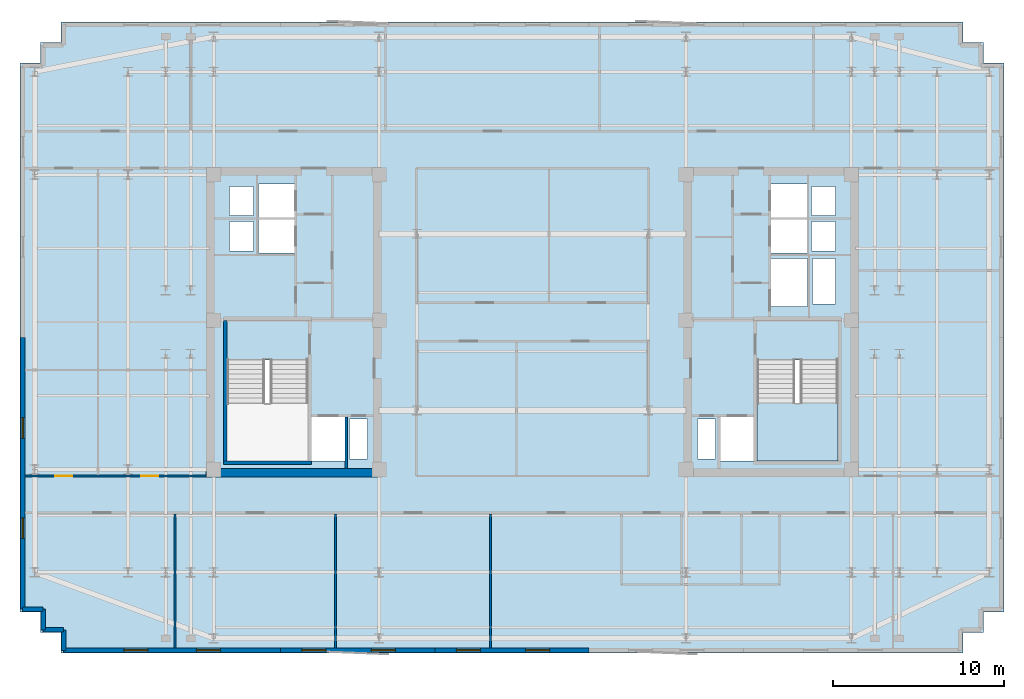
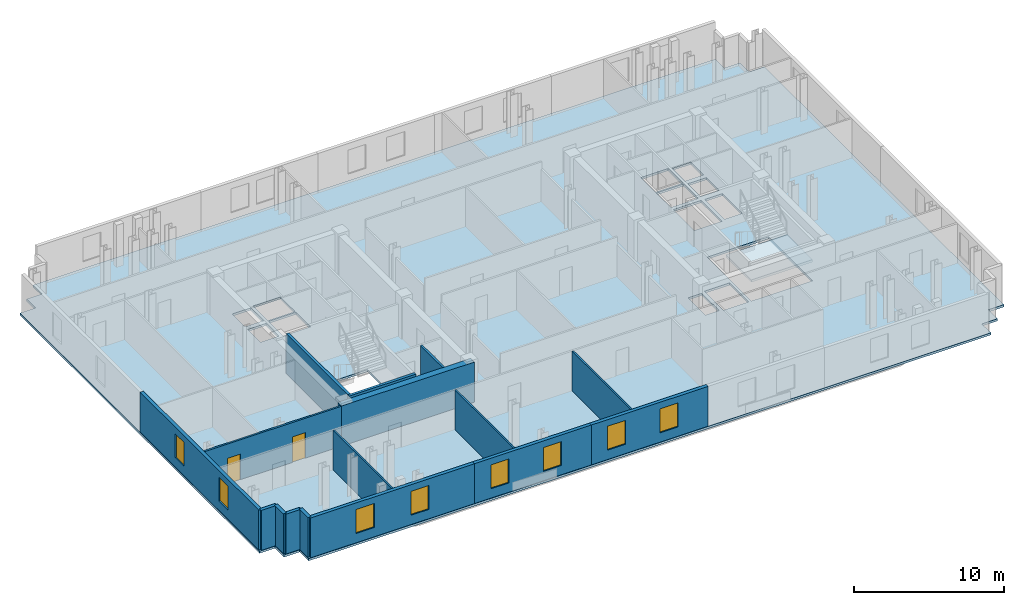
# One storey, part 3 of 9: 16 walls, 8 windows, 2 doors, 2 slabs, 10 openings, 1 element without a shape of its own.
"""IFC4 building model written with IfcOpenShell, lengths in metres."""

import ifcopenshell
import ifcopenshell.guid

model = None  # the IFC model being written
_history = None  # IfcOwnerHistory: only IFC2X3 demands one
_inside = {}  # id of a spatial element -> (the spatial element, [elements in it])
_under = {}  # id of a project, library or spatial element -> (it, [spatial elements below it])
_declared = {}  # id of a project -> (the project, [libraries it declares])
_typed = {}  # id of a type object -> (the type object, [elements of that type])
_made_of = {}  # id of a material, layer set ... -> (it, [elements and type objects made of it])


def new_model(schema):
    """Start an empty IFC model of exactly this schema.

    Asked for "IFC4X3", IfcOpenShell would pick the latest addendum, in which some entities
    have other attributes; the version numbers below select the first issue.
    IFC2X3 requires an IfcOwnerHistory on every rooted entity: one is made here for all.
    """
    global model, _history
    if schema == "IFC4X3":
        model = ifcopenshell.file(schema_version=(4, 3, 0, 0))
    else:
        model = ifcopenshell.file(schema=schema)
    _inside.clear()
    _under.clear()
    _declared.clear()
    _typed.clear()
    _made_of.clear()
    _history = None
    if model.schema == "IFC2X3":
        org = make("IfcOrganization", Name="unknown")
        user = make(
            "IfcPersonAndOrganization",
            ThePerson=make("IfcPerson", FamilyName="unknown"),
            TheOrganization=org,
        )
        app = make(
            "IfcApplication",
            ApplicationDeveloper=org,
            Version="unknown",
            ApplicationFullName="unknown",
            ApplicationIdentifier="unknown",
        )
        _history = make(
            "IfcOwnerHistory",
            OwningUser=user,
            OwningApplication=app,
            ChangeAction="ADDED",
            CreationDate=0,
        )
    return model


def make(cls, **values):
    """One entity of the class cls with the attributes given. An attribute that is None is left unset."""
    return model.create_entity(
        cls, **{name: value for name, value in values.items() if value is not None}
    )


def rooted(cls, **values):
    """An entity with a GlobalId (a new one), such as an element, a storey or a relation."""
    return make(cls, GlobalId=ifcopenshell.guid.new(), OwnerHistory=_history, **values)


def si_unit(unit_type, name, prefix=None):
    """IfcSIUnit, for example si_unit("LENGTHUNIT", "METRE", prefix="MILLI")."""
    return make("IfcSIUnit", UnitType=unit_type, Prefix=prefix, Name=name)


def assignment(units):
    """IfcUnitAssignment: the units of a project."""
    return None if units is None else make("IfcUnitAssignment", Units=units)


def point(xyz):
    """IfcCartesianPoint."""
    return None if xyz is None else make("IfcCartesianPoint", Coordinates=xyz)


def direction(xyz):
    """IfcDirection."""
    return None if xyz is None else make("IfcDirection", DirectionRatios=xyz)


def frame(location, z_axis=None, x_axis=None):
    """IfcAxis2Placement3D, a coordinate frame: its origin and axes. An axis left out is left unset."""
    return make(
        "IfcAxis2Placement3D",
        Location=point(location),
        Axis=direction(z_axis),
        RefDirection=direction(x_axis),
    )


def frame_2d(location, x_axis=None):
    """IfcAxis2Placement2D, a coordinate frame in the plane: its origin and x axis."""
    return make(
        "IfcAxis2Placement2D", Location=point(location), RefDirection=direction(x_axis)
    )


def origin():
    """The frame at (0, 0, 0) with its axes left unset."""
    return frame((0.0, 0.0, 0.0))


def place(relative_to, where):
    """IfcLocalPlacement: puts the frame where relative to a parent placement (None: the world)."""
    return make(
        "IfcLocalPlacement", PlacementRelTo=relative_to, RelativePlacement=where
    )


def context(
    kind, dimensions, precision=None, world=None, true_north=None, identifier=None
):
    """IfcGeometricRepresentationContext, for example the 3D "Model" context."""
    return make(
        "IfcGeometricRepresentationContext",
        ContextIdentifier=identifier,
        ContextType=kind,
        CoordinateSpaceDimension=dimensions,
        Precision=precision,
        WorldCoordinateSystem=world,
        TrueNorth=true_north,
    )


def subcontext(parent, identifier, kind, view, scale=None):
    """IfcGeometricRepresentationSubContext, for example "Body" below "Model"."""
    return make(
        "IfcGeometricRepresentationSubContext",
        ContextIdentifier=identifier,
        ContextType=kind,
        ParentContext=parent,
        TargetScale=scale,
        TargetView=view,
    )


def project(units=None, contexts=None):
    """IfcProject with its units and contexts."""
    return rooted(
        "IfcProject",
        Name="project",
        RepresentationContexts=contexts,
        UnitsInContext=assignment(units),
    )


def spatial(cls, under=None, at=None, **own):
    """A site, building, storey or space (cls), placed at a placement, below another one or the project."""
    s = rooted(cls, ObjectPlacement=at, **own)
    if under is not None:
        _under.setdefault(under.id(), (under, []))[1].append(s)
    return s


def polyline(points):
    """IfcPolyline through the points."""
    return make("IfcPolyline", Points=[point(p) for p in points])


def profile(cls, at=None, kind="AREA", **sizes):
    """A parametric profile (cls). Its sizes go by their IFC names, for example OverallWidth=200.0."""
    return make(cls, ProfileType=kind, Position=at, **sizes)


def rectangle(**sizes):
    """IfcRectangleProfileDef."""
    return profile("IfcRectangleProfileDef", **sizes)


def outline(outer, holes=None, kind="AREA"):
    """IfcArbitraryClosedProfileDef: a profile drawn as a closed curve; with holes, ...WithVoids."""
    if holes is None:
        return make("IfcArbitraryClosedProfileDef", ProfileType=kind, OuterCurve=outer)
    return make(
        "IfcArbitraryProfileDefWithVoids",
        ProfileType=kind,
        OuterCurve=outer,
        InnerCurves=holes,
    )


def extrude(swept, where, along, depth):
    """IfcExtrudedAreaSolid: the profile swept, set in the frame where, extruded along a direction by depth."""
    return make(
        "IfcExtrudedAreaSolid",
        SweptArea=swept,
        Position=where,
        ExtrudedDirection=direction(along),
        Depth=depth,
    )


def shape(context_of_items, identifier, shape_type, items):
    """IfcShapeRepresentation: the items that make up one representation, for example the "Body"."""
    return make(
        "IfcShapeRepresentation",
        ContextOfItems=context_of_items,
        RepresentationIdentifier=identifier,
        RepresentationType=shape_type,
        Items=items,
    )


def material(Name=None, Category=None):
    """IfcMaterial."""
    return make("IfcMaterial", Name=Name, Category=Category)


def layer(
    of_material, thickness, ventilated=None, Name=None, Category=None, Priority=None
):
    """IfcMaterialLayer: one layer of a wall or slab, of a material (None: an air gap)."""
    return make(
        "IfcMaterialLayer",
        Material=of_material,
        LayerThickness=thickness,
        IsVentilated=ventilated,
        Name=Name,
        Category=Category,
        Priority=Priority,
    )


def layer_set(layers, Name=None):
    """IfcMaterialLayerSet."""
    return make("IfcMaterialLayerSet", MaterialLayers=layers, LayerSetName=Name)


def made_of(thing, what):
    """Note that an element or type object is made of a material, layer set ...; save() writes the relation."""
    if what is not None:
        _made_of.setdefault(what.id(), (what, []))[1].append(thing)
    return thing


def type_object(cls, material=None, **own):
    """A type object (cls), such as IfcWallType, which elements share."""
    return made_of(rooted(cls, **own), material)


def element(
    cls,
    number,
    at=None,
    inside=None,
    cuts=None,
    type_object=None,
    material=None,
    context=None,
    identifier="Body",
    shape_type=None,
    held_by="IfcProductDefinitionShape",
    body=None,
    shapes=None,
    **own,
):
    """One element of the class cls, such as IfcWall. Its Tag is "e" and its number.

    at: its placement. inside: the storey or other place that contains it. cuts: it is an
    opening in that element (IfcRelVoidsElement). A single representation is given by context,
    identifier, shape_type and body (its items); several are given by shapes. held_by: the class
    of the entity that holds the representations. save() writes the other relations.
    """
    e = rooted(cls, Tag="e%d" % number, ObjectPlacement=at, **own)
    if body is not None:
        shapes = [shape(context, identifier, shape_type, body)]
    if shapes is not None:
        e.Representation = make(held_by, Representations=shapes)
    if inside is not None:
        _inside.setdefault(inside.id(), (inside, []))[1].append(e)
    if cuts is not None:
        rooted(
            "IfcRelVoidsElement", RelatingBuildingElement=cuts, RelatedOpeningElement=e
        )
    if type_object is not None:
        _typed.setdefault(type_object.id(), (type_object, []))[1].append(e)
    return made_of(e, material)


def fill(opening, filler):
    """IfcRelFillsElement: the door or window that sits in an opening."""
    return rooted(
        "IfcRelFillsElement",
        RelatingOpeningElement=opening,
        RelatedBuildingElement=filler,
    )


def aggregate(whole, parts):
    """IfcRelAggregates: a whole, such as a stair, and the parts it consists of."""
    return rooted("IfcRelAggregates", RelatingObject=whole, RelatedObjects=parts)


def save(model, path):
    """Write the relations noted so far, then the file.

    IfcRelAggregates (storeys below a building ...), IfcRelContainedInSpatialStructure (elements
    in a storey), IfcRelDefinesByType, IfcRelAssociatesMaterial and IfcRelDeclares: one each for
    every whole, place, type object, material and project.
    """
    for whole, parts in _under.values():
        aggregate(whole, parts)
    for where, things in _inside.values():
        rooted(
            "IfcRelContainedInSpatialStructure",
            RelatedElements=things,
            RelatingStructure=where,
        )
    for kind, things in _typed.values():
        rooted("IfcRelDefinesByType", RelatedObjects=things, RelatingType=kind)
    for what, things in _made_of.values():
        rooted("IfcRelAssociatesMaterial", RelatedObjects=things, RelatingMaterial=what)
    for by, libraries in _declared.values():
        rooted("IfcRelDeclares", RelatingContext=by, RelatedDefinitions=libraries)
    model.write(path)


model = new_model("IFC4")

# Units and contexts
model_context = context("Model", 3, precision=1e-05, world=origin(), true_north=direction((0.0, 1.0)))
body_context = subcontext(model_context, "Body", "Model", "MODEL_VIEW")
ifc_project = project(units=[si_unit("LENGTHUNIT", "METRE"), si_unit("AREAUNIT", "SQUARE_METRE"), si_unit("VOLUMEUNIT", "CUBIC_METRE"), si_unit("PLANEANGLEUNIT", "RADIAN"), si_unit("MASSUNIT", "GRAM", prefix="KILO")], contexts=[model_context])

# Site, building, storey
site_placement = place(None, origin())
site = spatial("IfcSite", under=ifc_project, at=site_placement, CompositionType="ELEMENT")
building_placement = place(site_placement, origin())
building = spatial("IfcBuilding", under=site, at=building_placement, Name="Velakula Bourse", CompositionType="ELEMENT")
storey_placement = place(building_placement, frame((0.0, 0.0, 218.85009765625)))
storey = spatial("IfcBuildingStorey", under=building, at=storey_placement, Name="L59", CompositionType="ELEMENT", Elevation=218.85009765625)

# Stair, slab
ifc_material_1 = material(Name="Concrete M45 (fck 45 MPa)", Category="concrete")
stair_type = type_object("IfcStairType", Name="STR-DOG-390", PredefinedType="HALF_TURN_STAIR", material=ifc_material_1)
stair_placement = place(storey_placement, origin())
stair = element("IfcStair", 1, at=stair_placement, inside=storey, type_object=stair_type, Name="L59 East Core Exit Stair ST-E1", PredefinedType="HALF_TURN_STAIR")
ifc_layer_1 = layer(ifc_material_1, 0.199951171875, Name="Concrete M45 (fck 45 MPa)", Category="concrete")
ifc_layer_set_1 = layer_set([ifc_layer_1], Name="Concrete M45 (fck 45 MPa)")
slab_type_1 = type_object("IfcSlabType", Name="SLB-STAIR-LND-200", PredefinedType="LANDING", material=ifc_layer_set_1)
slab_1_placement = place(storey_placement, frame((0.0, 0.0, 1.52490234375)))
slab_1 = element("IfcSlab", 2, at=slab_1_placement, type_object=slab_type_1, Name="ST-E1 landing 1", PredefinedType="LANDING", context=body_context, shape_type="SweptSolid", body=[
    extrude(outline(polyline([(13.10009765625, -4.719970703125), (13.10009765625, -8.10009765625), (17.820068359375, -8.10009765625), (17.820068359375, -4.719970703125), (13.10009765625, -4.719970703125)])), origin(), (0.0, 0.0, 1.0), 0.199951171875),
])
aggregate(stair, [slab_1])

# Slab
ifc_material_2 = material(Name="Concrete M50 (fck 50 MPa)", Category="concrete")
ifc_layer_2 = layer(ifc_material_2, 0.179931640625, Name="Concrete M50 (fck 50 MPa)", Category="concrete")
ifc_layer_set_2 = layer_set([ifc_layer_2], Name="Concrete M50 (fck 50 MPa)")
slab_type_2 = type_object("IfcSlabType", Name="SLB-TWR-180", PredefinedType="FLOOR", material=ifc_layer_set_2)
slab_2_placement = place(storey_placement, frame((0.0, 0.0, -0.18017578125)))
element("IfcSlab", 3, at=slab_2_placement, inside=storey, type_object=slab_type_2, Name="L59 Suspended Structural Floor Slab", PredefinedType="FLOOR", context=body_context, shape_type="SweptSolid", body=[
    extrude(outline(polyline([(-27.5, -19.300048828125), (25.10009765625, -19.300048828125), (25.10009765625, -18.10009765625), (26.300048828125, -18.10009765625), (26.300048828125, -16.89990234375), (27.5, -16.89990234375), (27.5, 15.10009765625), (26.300048828125, 15.10009765625), (26.300048828125, 16.300048828125), (25.10009765625, 16.300048828125), (25.10009765625, 17.5), (-27.5, 17.5), (-27.5, 16.300048828125), (-28.699951171875, 16.300048828125), (-28.699951171875, 15.10009765625), (-29.89990234375, 15.10009765625), (-29.89990234375, -16.89990234375), (-28.699951171875, -16.89990234375), (-28.699951171875, -18.10009765625), (-27.5, -18.10009765625), (-27.5, -19.300048828125)]), holes=[polyline([(-17.820068359375, -8.10009765625), (-13.10009765625, -8.10009765625), (-13.10009765625, -2.199951171875), (-17.820068359375, -2.199951171875), (-17.820068359375, -8.10009765625)]), polyline([(13.10009765625, -8.10009765625), (17.820068359375, -8.10009765625), (17.820068359375, -2.199951171875), (13.10009765625, -2.199951171875), (13.10009765625, -8.10009765625)]), polyline([(-12.89990234375, -8.10009765625), (-10.949951171875, -8.10009765625), (-10.949951171875, -5.550048828125), (-12.89990234375, -5.550048828125), (-12.89990234375, -8.10009765625)]), polyline([(10.949951171875, -8.10009765625), (12.89990234375, -8.10009765625), (12.89990234375, -5.550048828125), (10.949951171875, -5.550048828125), (10.949951171875, -8.10009765625)]), polyline([(13.89990234375, 0.919921875), (16.050048828125, 0.919921875), (16.050048828125, 3.719970703125), (13.89990234375, 3.719970703125), (13.89990234375, 0.919921875)]), polyline([(-10.679931640625, -7.97998046875), (-9.6201171875, -7.97998046875), (-9.6201171875, -5.669921875), (-10.679931640625, -5.669921875), (-10.679931640625, -7.97998046875)]), polyline([(-17.679931640625, 4.139892578125), (-16.27001953125, 4.139892578125), (-16.27001953125, 5.85009765625), (-17.679931640625, 5.85009765625), (-17.679931640625, 4.139892578125)]), polyline([(-17.679931640625, 6.2099609375), (-16.27001953125, 6.2099609375), (-16.27001953125, 7.919921875), (-17.679931640625, 7.919921875), (-17.679931640625, 6.2099609375)]), polyline([(9.6201171875, -7.97998046875), (10.679931640625, -7.97998046875), (10.679931640625, -5.669921875), (9.6201171875, -5.669921875), (9.6201171875, -7.97998046875)]), polyline([(16.27001953125, 4.139892578125), (17.679931640625, 4.139892578125), (17.679931640625, 5.85009765625), (16.27001953125, 5.85009765625), (16.27001953125, 4.139892578125)]), polyline([(16.27001953125, 6.2099609375), (17.679931640625, 6.2099609375), (17.679931640625, 7.919921875), (16.27001953125, 7.919921875), (16.27001953125, 6.2099609375)]), polyline([(16.320068359375, 1.0400390625), (17.679931640625, 1.0400390625), (17.679931640625, 3.699951171875), (16.320068359375, 3.699951171875), (16.320068359375, 1.0400390625)]), polyline([(-16.0, 4.02001953125), (-13.89990234375, 4.02001953125), (-13.89990234375, 5.969970703125), (-16.0, 5.969970703125), (-16.0, 4.02001953125)]), polyline([(-16.0, 6.090087890625), (-13.89990234375, 6.090087890625), (-13.89990234375, 8.0400390625), (-16.0, 8.0400390625), (-16.0, 6.090087890625)]), polyline([(13.89990234375, 4.02001953125), (16.0, 4.02001953125), (16.0, 5.969970703125), (13.89990234375, 5.969970703125), (13.89990234375, 4.02001953125)]), polyline([(13.89990234375, 6.090087890625), (16.0, 6.090087890625), (16.0, 8.0400390625), (13.89990234375, 8.0400390625), (13.89990234375, 6.090087890625)])]), origin(), (0.0, 0.0, 1.0), 0.18017578125),
])

# Walls
ifc_layer_3 = layer(ifc_material_2, 0.2099609375, Name="Concrete M50 (fck 50 MPa)", Category="concrete")
ifc_layer_set_3 = layer_set([ifc_layer_3], Name="Concrete M50 (fck 50 MPa)")
wall_type_1 = type_object("IfcWallType", Name="WL-CORE-210", PredefinedType="SHEAR", material=ifc_layer_set_3)
wall_1_placement = place(storey_placement, frame((-17.925048828125, -8.10009765625, 0.0), z_axis=(0.0, 0.0, 1.0), x_axis=(0.0, 1.0, 0.0)))
element("IfcWall", 4, at=wall_1_placement, inside=storey, type_object=wall_type_1, Name="L59 Core W Stairwell Shear Wall OUT", PredefinedType="SHEAR", context=body_context, shape_type="SweptSolid", body=[
    extrude(rectangle(XDim=8.2001953125, YDim=0.2099609375, at=frame_2d((4.10009765625, 0.0))), origin(), (0.0, 0.0, 1.0), 3.27001953125),
])
wall_2_placement = place(storey_placement, frame((-18.030029296875, -8.205078125, 0.0), z_axis=(0.0, 0.0, 1.0), x_axis=(1.0, 0.0, 0.0)))
element("IfcWall", 5, at=wall_2_placement, inside=storey, type_object=wall_type_1, Name="L59 Core W Stairwell Shear Wall S", PredefinedType="SHEAR", context=body_context, shape_type="SweptSolid", body=[
    extrude(rectangle(XDim=5.14013671875, YDim=0.2099609375, at=frame_2d((2.570068359375, 0.0))), origin(), (0.0, 0.0, 1.0), 3.27001953125),
])
ifc_layer_4 = layer(ifc_material_2, 0.5, Name="Concrete M50 (fck 50 MPa)", Category="concrete")
ifc_layer_set_4 = layer_set([ifc_layer_4], Name="Concrete M50 (fck 50 MPa)")
wall_type_2 = type_object("IfcWallType", Name="WL-CORE-500", PredefinedType="SHEAR", material=ifc_layer_set_4)
wall_3_placement = place(storey_placement, frame((-19.050048828125, -8.800048828125, 0.0), z_axis=(0.0, 0.0, 1.0), x_axis=(1.0, 0.0, 0.0)))
element("IfcWall", 6, at=wall_3_placement, inside=storey, type_object=wall_type_2, Name="L59 Core W Shear Wall S", PredefinedType="SHEAR", context=body_context, shape_type="SweptSolid", body=[
    extrude(rectangle(XDim=10.25, YDim=0.5, at=frame_2d((5.125, 0.0))), origin(), (0.0, 0.0, 1.0), 3.27001953125),
])

# Wall, openings, windows
ifc_material_3 = material(Name="Buff kilned clay facing brick masonry", Category="masonry")
ifc_layer_5 = layer(ifc_material_3, 0.260009765625, Name="Buff kilned clay facing brick masonry", Category="masonry")
ifc_layer_set_5 = layer_set([ifc_layer_5], Name="Buff kilned clay facing brick masonry")
wall_type_3 = type_object("IfcWallType", Name="WL-EXT-BRK-260", PredefinedType="STANDARD", material=ifc_layer_set_5)
wall_4_placement = place(storey_placement, frame((-14.699951171875, -19.14990234375, 0.0), z_axis=(0.0, 0.0, 1.0), x_axis=(-1.0, 0.0, 0.0)))
wall_4 = element("IfcWall", 7, at=wall_4_placement, inside=storey, type_object=wall_type_3, Name="L59 S Brick Spandrel Wall B1", PredefinedType="STANDARD", context=body_context, shape_type="SweptSolid", body=[
    extrude(rectangle(XDim=12.650146484375, YDim=0.260009765625, at=frame_2d((6.3251953125, 0.0))), origin(), (0.0, 0.0, 1.0), 3.25),
])
opening_1_placement = place(wall_4_placement, frame((3.5166015625, 0.0, 0.760009765625)))
opening_1 = element("IfcOpeningElement", 8, at=opening_1_placement, cuts=wall_4, Name="Opening W-03", PredefinedType="OPENING", context=body_context, shape_type="SweptSolid", body=[
    extrude(rectangle(XDim=1.39990234375, YDim=1.949951171875, at=frame_2d((0.699951171875, 0.97509765625))), frame((0.0, 0.139892578125, 0.0), z_axis=(0.0, -1.0, 0.0), x_axis=(1.0, 0.0, 0.0)), (0.0, 0.0, 1.0), 0.280029296875),
])
opening_2_placement = place(wall_4_placement, frame((7.7333984375, 0.0, 0.760009765625)))
opening_2 = element("IfcOpeningElement", 9, at=opening_2_placement, cuts=wall_4, Name="Opening W-03", PredefinedType="OPENING", context=body_context, shape_type="SweptSolid", body=[
    extrude(rectangle(XDim=1.39990234375, YDim=1.949951171875, at=frame_2d((0.699951171875, 0.97509765625))), frame((0.0, 0.139892578125, 0.0), z_axis=(0.0, -1.0, 0.0), x_axis=(1.0, 0.0, 0.0)), (0.0, 0.0, 1.0), 0.280029296875),
])
ifc_material_4 = material(Name="Double-glazed solar-control Low-E glass", Category="glass")
window_type_1 = type_object("IfcWindowType", Name="WIN-TWR-1400x2100", PartitioningType="SINGLE_PANEL", PredefinedType="WINDOW", material=ifc_material_4)
window_1_placement = place(opening_1_placement, origin())
window_1 = element("IfcWindow", 10, at=window_1_placement, inside=storey, type_object=window_type_1, Name="L59 Deep-Set Recessed Window 1", OverallHeight=1.949951171875, OverallWidth=1.39990234375, PartitioningType="SINGLE_PANEL", PredefinedType="WINDOW", context=body_context, shape_type="SweptSolid", body=[
    extrude(rectangle(XDim=1.39990234375, YDim=1.949951171875, at=frame_2d((0.699951171875, 0.97509765625))), frame((0.0, 0.030029296875, 0.0), z_axis=(0.0, -1.0, 0.0), x_axis=(1.0, 0.0, 0.0)), (0.0, 0.0, 1.0), 0.06005859375),
])
fill(opening_1, window_1)
window_2_placement = place(opening_2_placement, origin())
window_2 = element("IfcWindow", 11, at=window_2_placement, inside=storey, type_object=window_type_1, Name="L59 Deep-Set Recessed Window 2", OverallHeight=1.949951171875, OverallWidth=1.39990234375, PartitioningType="SINGLE_PANEL", PredefinedType="WINDOW", context=body_context, shape_type="SweptSolid", body=[
    extrude(rectangle(XDim=1.39990234375, YDim=1.949951171875, at=frame_2d((0.699951171875, 0.97509765625))), frame((0.0, 0.030029296875, 0.0), z_axis=(0.0, -1.0, 0.0), x_axis=(1.0, 0.0, 0.0)), (0.0, 0.0, 1.0), 0.06005859375),
])
fill(opening_2, window_2)

wall_5_placement = place(storey_placement, frame((-5.699951171875, -19.14990234375, 0.0), z_axis=(0.0, 0.0, 1.0), x_axis=(-1.0, 0.0, 0.0)))
wall_5 = element("IfcWall", 12, at=wall_5_placement, inside=storey, type_object=wall_type_3, Name="L59 S Brick Spandrel Wall B2", PredefinedType="STANDARD", context=body_context, shape_type="SweptSolid", body=[
    extrude(rectangle(XDim=9.0, YDim=0.260009765625, at=frame_2d((4.5, 0.0))), origin(), (0.0, 0.0, 1.0), 3.25),
])
opening_3_placement = place(wall_5_placement, frame((2.300048828125, 0.0, 0.760009765625)))
opening_3 = element("IfcOpeningElement", 13, at=opening_3_placement, cuts=wall_5, Name="Opening W-03", PredefinedType="OPENING", context=body_context, shape_type="SweptSolid", body=[
    extrude(rectangle(XDim=1.39990234375, YDim=1.949951171875, at=frame_2d((0.699951171875, 0.97509765625))), frame((0.0, 0.139892578125, 0.0), z_axis=(0.0, -1.0, 0.0), x_axis=(1.0, 0.0, 0.0)), (0.0, 0.0, 1.0), 0.280029296875),
])
opening_4_placement = place(wall_5_placement, frame((6.35009765625, 0.0, 0.760009765625)))
opening_4 = element("IfcOpeningElement", 14, at=opening_4_placement, cuts=wall_5, Name="Opening W-03", PredefinedType="OPENING", context=body_context, shape_type="SweptSolid", body=[
    extrude(rectangle(XDim=1.39990234375, YDim=1.949951171875, at=frame_2d((0.699951171875, 0.97509765625))), frame((0.0, 0.139892578125, 0.0), z_axis=(0.0, -1.0, 0.0), x_axis=(1.0, 0.0, 0.0)), (0.0, 0.0, 1.0), 0.280029296875),
])
window_3_placement = place(opening_3_placement, origin())
window_3 = element("IfcWindow", 15, at=window_3_placement, inside=storey, type_object=window_type_1, Name="L59 Deep-Set Recessed Window 1", OverallHeight=1.949951171875, OverallWidth=1.39990234375, PartitioningType="SINGLE_PANEL", PredefinedType="WINDOW", context=body_context, shape_type="SweptSolid", body=[
    extrude(rectangle(XDim=1.39990234375, YDim=1.949951171875, at=frame_2d((0.699951171875, 0.97509765625))), frame((0.0, 0.030029296875, 0.0), z_axis=(0.0, -1.0, 0.0), x_axis=(1.0, 0.0, 0.0)), (0.0, 0.0, 1.0), 0.06005859375),
])
fill(opening_3, window_3)
window_4_placement = place(opening_4_placement, origin())
window_4 = element("IfcWindow", 16, at=window_4_placement, inside=storey, type_object=window_type_1, Name="L59 Deep-Set Recessed Window 2", OverallHeight=1.949951171875, OverallWidth=1.39990234375, PartitioningType="SINGLE_PANEL", PredefinedType="WINDOW", context=body_context, shape_type="SweptSolid", body=[
    extrude(rectangle(XDim=1.39990234375, YDim=1.949951171875, at=frame_2d((0.699951171875, 0.97509765625))), frame((0.0, 0.030029296875, 0.0), z_axis=(0.0, -1.0, 0.0), x_axis=(1.0, 0.0, 0.0)), (0.0, 0.0, 1.0), 0.06005859375),
])
fill(opening_4, window_4)

wall_6_placement = place(storey_placement, frame((3.300048828125, -19.14990234375, 0.0), z_axis=(0.0, 0.0, 1.0), x_axis=(-1.0, 0.0, 0.0)))
wall_6 = element("IfcWall", 17, at=wall_6_placement, inside=storey, type_object=wall_type_3, Name="L59 S Brick Spandrel Wall B3", PredefinedType="STANDARD", context=body_context, shape_type="SweptSolid", body=[
    extrude(rectangle(XDim=9.0, YDim=0.260009765625, at=frame_2d((4.5, 0.0))), origin(), (0.0, 0.0, 1.0), 3.25),
])
opening_5_placement = place(wall_6_placement, frame((2.300048828125, 0.0, 0.760009765625)))
opening_5 = element("IfcOpeningElement", 18, at=opening_5_placement, cuts=wall_6, Name="Opening W-03", PredefinedType="OPENING", context=body_context, shape_type="SweptSolid", body=[
    extrude(rectangle(XDim=1.39990234375, YDim=1.949951171875, at=frame_2d((0.699951171875, 0.97509765625))), frame((0.0, 0.139892578125, 0.0), z_axis=(0.0, -1.0, 0.0), x_axis=(1.0, 0.0, 0.0)), (0.0, 0.0, 1.0), 0.280029296875),
])
opening_6_placement = place(wall_6_placement, frame((6.35009765625, 0.0, 0.760009765625)))
opening_6 = element("IfcOpeningElement", 19, at=opening_6_placement, cuts=wall_6, Name="Opening W-03", PredefinedType="OPENING", context=body_context, shape_type="SweptSolid", body=[
    extrude(rectangle(XDim=1.39990234375, YDim=1.949951171875, at=frame_2d((0.699951171875, 0.97509765625))), frame((0.0, 0.139892578125, 0.0), z_axis=(0.0, -1.0, 0.0), x_axis=(1.0, 0.0, 0.0)), (0.0, 0.0, 1.0), 0.280029296875),
])
window_5_placement = place(opening_5_placement, origin())
window_5 = element("IfcWindow", 20, at=window_5_placement, inside=storey, type_object=window_type_1, Name="L59 Deep-Set Recessed Window 1", OverallHeight=1.949951171875, OverallWidth=1.39990234375, PartitioningType="SINGLE_PANEL", PredefinedType="WINDOW", context=body_context, shape_type="SweptSolid", body=[
    extrude(rectangle(XDim=1.39990234375, YDim=1.949951171875, at=frame_2d((0.699951171875, 0.97509765625))), frame((0.0, 0.030029296875, 0.0), z_axis=(0.0, -1.0, 0.0), x_axis=(1.0, 0.0, 0.0)), (0.0, 0.0, 1.0), 0.06005859375),
])
fill(opening_5, window_5)
window_6_placement = place(opening_6_placement, origin())
window_6 = element("IfcWindow", 21, at=window_6_placement, inside=storey, type_object=window_type_1, Name="L59 Deep-Set Recessed Window 2", OverallHeight=1.949951171875, OverallWidth=1.39990234375, PartitioningType="SINGLE_PANEL", PredefinedType="WINDOW", context=body_context, shape_type="SweptSolid", body=[
    extrude(rectangle(XDim=1.39990234375, YDim=1.949951171875, at=frame_2d((0.699951171875, 0.97509765625))), frame((0.0, 0.030029296875, 0.0), z_axis=(0.0, -1.0, 0.0), x_axis=(1.0, 0.0, 0.0)), (0.0, 0.0, 1.0), 0.06005859375),
])
fill(opening_6, window_6)

wall_7_placement = place(storey_placement, frame((-29.75, -16.75, 0.0), z_axis=(0.0, 0.0, 1.0), x_axis=(0.0, 1.0, 0.0)))
wall_7 = element("IfcWall", 22, at=wall_7_placement, inside=storey, type_object=wall_type_3, Name="L59 W Brick End Wall W1", PredefinedType="STANDARD", context=body_context, shape_type="SweptSolid", body=[
    extrude(rectangle(XDim=15.85009765625, YDim=0.260009765625, at=frame_2d((7.925048828125, 0.0))), origin(), (0.0, 0.0, 1.0), 3.25),
])
opening_7_placement = place(wall_7_placement, frame((4.13330078125, 0.0, 0.760009765625)))
opening_7 = element("IfcOpeningElement", 23, at=opening_7_placement, cuts=wall_7, Name="Opening W-04", PredefinedType="OPENING", context=body_context, shape_type="SweptSolid", body=[
    extrude(rectangle(XDim=1.199951171875, YDim=1.949951171875, at=frame_2d((0.60009765625, 0.97509765625))), frame((0.0, 0.139892578125, 0.0), z_axis=(0.0, -1.0, 0.0), x_axis=(1.0, 0.0, 0.0)), (0.0, 0.0, 1.0), 0.280029296875),
])
opening_8_placement = place(wall_7_placement, frame((9.966796875, 0.0, 0.760009765625)))
opening_8 = element("IfcOpeningElement", 24, at=opening_8_placement, cuts=wall_7, Name="Opening W-04", PredefinedType="OPENING", context=body_context, shape_type="SweptSolid", body=[
    extrude(rectangle(XDim=1.199951171875, YDim=1.949951171875, at=frame_2d((0.60009765625, 0.97509765625))), frame((0.0, 0.139892578125, 0.0), z_axis=(0.0, -1.0, 0.0), x_axis=(1.0, 0.0, 0.0)), (0.0, 0.0, 1.0), 0.280029296875),
])
window_type_2 = type_object("IfcWindowType", Name="WIN-TWR-1200x2100", PartitioningType="SINGLE_PANEL", PredefinedType="WINDOW", material=ifc_material_4)
window_7_placement = place(opening_7_placement, origin())
window_7 = element("IfcWindow", 25, at=window_7_placement, inside=storey, type_object=window_type_2, Name="L59 Deep-Set Recessed Window 1", OverallHeight=1.949951171875, OverallWidth=1.199951171875, PartitioningType="SINGLE_PANEL", PredefinedType="WINDOW", context=body_context, shape_type="SweptSolid", body=[
    extrude(rectangle(XDim=1.199951171875, YDim=1.949951171875, at=frame_2d((0.60009765625, 0.97509765625))), frame((0.0, 0.030029296875, 0.0), z_axis=(0.0, -1.0, 0.0), x_axis=(1.0, 0.0, 0.0)), (0.0, 0.0, 1.0), 0.06005859375),
])
fill(opening_7, window_7)
window_8_placement = place(opening_8_placement, origin())
window_8 = element("IfcWindow", 26, at=window_8_placement, inside=storey, type_object=window_type_2, Name="L59 Deep-Set Recessed Window 2", OverallHeight=1.949951171875, OverallWidth=1.199951171875, PartitioningType="SINGLE_PANEL", PredefinedType="WINDOW", context=body_context, shape_type="SweptSolid", body=[
    extrude(rectangle(XDim=1.199951171875, YDim=1.949951171875, at=frame_2d((0.60009765625, 0.97509765625))), frame((0.0, 0.030029296875, 0.0), z_axis=(0.0, -1.0, 0.0), x_axis=(1.0, 0.0, 0.0)), (0.0, 0.0, 1.0), 0.06005859375),
])
fill(opening_8, window_8)

# Walls
for number, where, z_axis, x_axis, name in (
    (27, (-29.75, -16.75, 0.0), (0.0, 0.0, 1.0), (1.0, 0.0, 0.0), "L59 Serrated Corner Brick Wall SW-1"),
    (28, (-28.550048828125, -16.75, 0.0), (0.0, 0.0, 1.0), (0.0, -1.0, 0.0), "L59 Serrated Corner Brick Wall SW-2"),
    (29, (-28.550048828125, -17.949951171875, 0.0), (0.0, 0.0, 1.0), (1.0, 0.0, 0.0), "L59 Serrated Corner Brick Wall SW-3"),
    (30, (-27.35009765625, -17.949951171875, 0.0), (0.0, 0.0, 1.0), (0.0, -1.0, 0.0), "L59 Serrated Corner Brick Wall SW-4"),
):
    element("IfcWall", number, at=place(storey_placement, frame(where, z_axis=z_axis, x_axis=x_axis)), inside=storey, type_object=wall_type_3, Name=name, PredefinedType="STANDARD", context=body_context, shape_type="SweptSolid", body=[
        extrude(rectangle(XDim=1.199951171875, YDim=0.260009765625, at=frame_2d((0.60009765625, 0.0))), origin(), (0.0, 0.0, 1.0), 3.25),
    ])
ifc_material_5 = material(Name="Fire-rated double-layer gypsum drywall partition", Category="gypsum")
ifc_layer_6 = layer(ifc_material_5, 0.1201171875, Name="Fire-rated double-layer gypsum drywall partition", Category="gypsum")
ifc_layer_set_6 = layer_set([ifc_layer_6], Name="Fire-rated double-layer gypsum drywall partition")
wall_type_4 = type_object("IfcWallType", Name="WL-PART-120", PredefinedType="STANDARD", material=ifc_layer_set_6)
for number, where, z_axis, x_axis, name in (
    (31, (-20.8701171875, -19.02001953125, 0.0), (0.0, 0.0, 1.0), (0.0, 1.0, 0.0), "L59 Interior Partition WL-INT-L59-SL-D5"),
    (32, (-11.485107421875, -19.02001953125, 0.0), (0.0, 0.0, 1.0), (0.0, 1.0, 0.0), "L59 Interior Partition WL-INT-L59-SL-D6"),
    (33, (-2.447021484375, -19.02001953125, 0.0), (0.0, 0.0, 1.0), (0.0, 1.0, 0.0), "L59 Interior Partition WL-INT-L59-SL-D7"),
):
    element("IfcWall", number, at=place(storey_placement, frame(where, z_axis=z_axis, x_axis=x_axis)), inside=storey, type_object=wall_type_4, Name=name, PredefinedType="STANDARD", context=body_context, shape_type="SweptSolid", body=[
        extrude(rectangle(XDim=7.830078125, YDim=0.1201171875, at=frame_2d((3.9150390625, 0.0))), origin(), (0.0, 0.0, 1.0), 3.25),
    ])

# Wall, openings, doors
ifc_layer_7 = layer(ifc_material_5, 0.139892578125, Name="Fire-rated double-layer gypsum drywall partition", Category="gypsum")
ifc_layer_set_7 = layer_set([ifc_layer_7], Name="Fire-rated double-layer gypsum drywall partition")
wall_type_5 = type_object("IfcWallType", Name="WL-PART-140", PredefinedType="STANDARD", material=ifc_layer_set_7)
wall_8_placement = place(storey_placement, frame((-29.6201171875, -8.97998046875, 0.0), z_axis=(0.0, 0.0, 1.0), x_axis=(1.0, 0.0, 0.0)))
wall_8 = element("IfcWall", 34, at=wall_8_placement, inside=storey, type_object=wall_type_5, Name="L59 Interior Partition WL-INT-L59-W-SC", PredefinedType="STANDARD", context=body_context, shape_type="SweptSolid", body=[
    extrude(rectangle(XDim=10.570068359375, YDim=0.139892578125, at=frame_2d((5.28515625, 0.0))), origin(), (0.0, 0.0, 1.0), 3.25),
])
opening_9_placement = place(wall_8_placement, frame((1.762451171875, 0.0, 0.0)))
opening_9 = element("IfcOpeningElement", 35, at=opening_9_placement, cuts=wall_8, Name="Opening D-OF1", PredefinedType="OPENING", context=body_context, shape_type="SweptSolid", body=[
    extrude(rectangle(XDim=1.0, YDim=2.080078125, at=frame_2d((0.5, 1.0400390625))), frame((0.0, 0.079833984375, 0.0), z_axis=(0.0, -1.0, 0.0), x_axis=(1.0, 0.0, 0.0)), (0.0, 0.0, 1.0), 0.159912109375),
])
opening_10_placement = place(wall_8_placement, frame((6.78759765625, 0.0, 0.0)))
opening_10 = element("IfcOpeningElement", 36, at=opening_10_placement, cuts=wall_8, Name="Opening D-OF1", PredefinedType="OPENING", context=body_context, shape_type="SweptSolid", body=[
    extrude(rectangle(XDim=1.0, YDim=2.080078125, at=frame_2d((0.5, 1.0400390625))), frame((0.0, 0.079833984375, 0.0), z_axis=(0.0, -1.0, 0.0), x_axis=(1.0, 0.0, 0.0)), (0.0, 0.0, 1.0), 0.159912109375),
])
ifc_material_6 = material(Name="Fire-rated hardwood flush architectural door", Category="wood")
door_type = type_object("IfcDoorType", Name="DR-OFF-1000", OperationType="NOTDEFINED", PredefinedType="DOOR", material=ifc_material_6)
door_1_placement = place(opening_9_placement, origin())
door_1 = element("IfcDoor", 37, at=door_1_placement, inside=storey, type_object=door_type, Name="L59 Bullion Assay Office Door", OperationType="SINGLE_SWING_LEFT", OverallHeight=2.080078125, OverallWidth=1.0, PredefinedType="DOOR", context=body_context, shape_type="SweptSolid", body=[
    extrude(rectangle(XDim=1.0, YDim=2.080078125, at=frame_2d((0.5, 1.0400390625))), frame((0.0, 0.02490234375, 0.0), z_axis=(0.0, -1.0, 0.0), x_axis=(1.0, 0.0, 0.0)), (0.0, 0.0, 1.0), 0.050048828125),
])
fill(opening_9, door_1)
door_2_placement = place(opening_10_placement, origin())
door_2 = element("IfcDoor", 38, at=door_2_placement, inside=storey, type_object=door_type, Name="L59 Executive Boardroom Door", OperationType="SINGLE_SWING_RIGHT", OverallHeight=2.080078125, OverallWidth=1.0, PredefinedType="DOOR", context=body_context, shape_type="SweptSolid", body=[
    extrude(rectangle(XDim=1.0, YDim=2.080078125, at=frame_2d((0.5, 1.0400390625))), frame((0.0, 0.02490234375, 0.0), z_axis=(0.0, -1.0, 0.0), x_axis=(1.0, 0.0, 0.0)), (0.0, 0.0, 1.0), 0.050048828125),
])
fill(opening_10, door_2)

# Wall
ifc_material_7 = material(Name="Autoclaved aerated concrete blockwork masonry", Category="masonry")
ifc_layer_8 = layer(ifc_material_7, 0.14990234375, Name="Autoclaved aerated concrete blockwork masonry", Category="masonry")
ifc_layer_set_8 = layer_set([ifc_layer_8], Name="Autoclaved aerated concrete blockwork masonry")
wall_type_6 = type_object("IfcWallType", Name="WL-SHAFT-150", PredefinedType="STANDARD", material=ifc_layer_set_8)
wall_9_placement = place(storey_placement, frame((-10.875, -8.550048828125, 0.0), z_axis=(0.0, 0.0, 1.0), x_axis=(0.0, 1.0, 0.0)))
element("IfcWall", 39, at=wall_9_placement, inside=storey, type_object=wall_type_6, Name="L59 Interior Partition WL-CRW-L59-FR-DIV", PredefinedType="STANDARD", context=body_context, shape_type="SweptSolid", body=[
    extrude(rectangle(XDim=3.0, YDim=0.14990234375, at=frame_2d((1.5, 0.0))), origin(), (0.0, 0.0, 1.0), 3.25),
])

save(model, "model.ifc")
